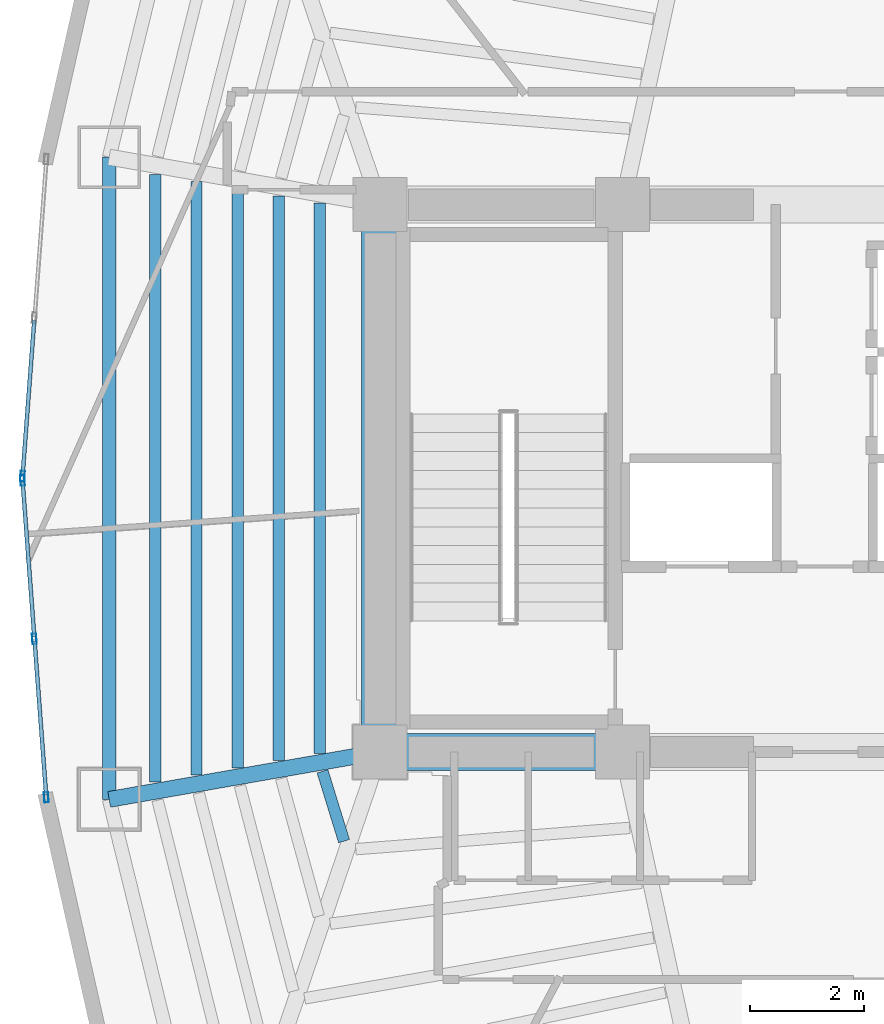
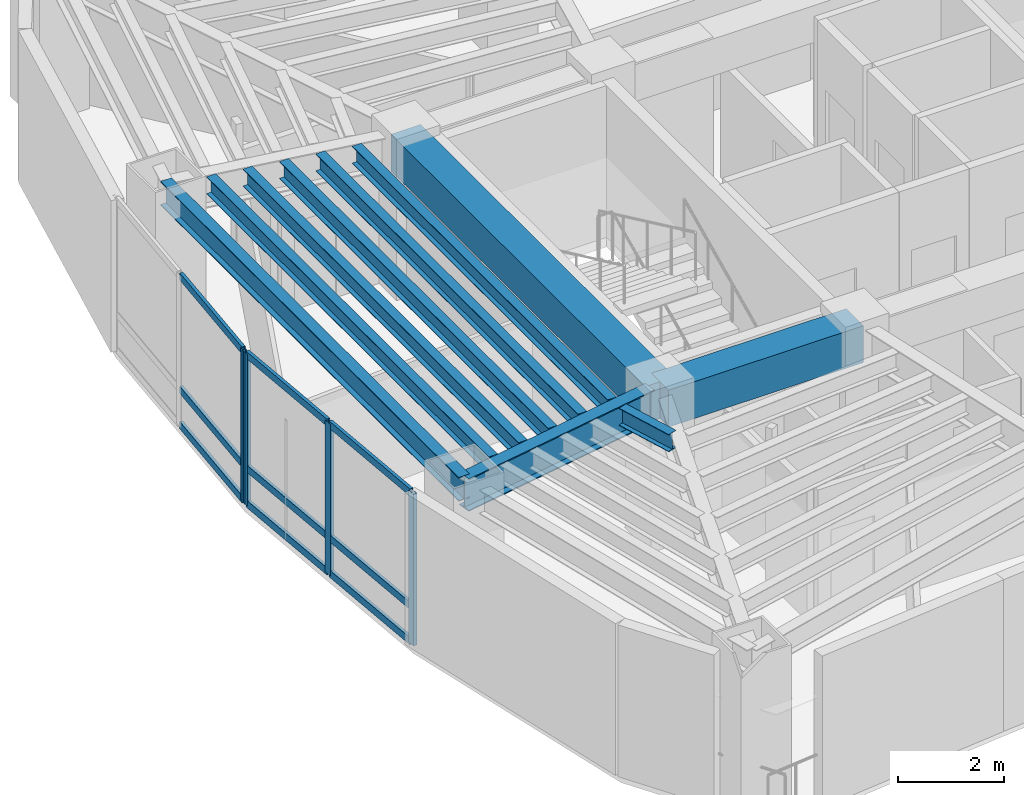
# One storey, part 3 of 18: 13 members, 10 beams, 2 elements without a shape of their own.
"""IFC4 building model written with IfcOpenShell, lengths in metres."""

from ifc_helpers import new_model, si_unit, direction, frame, origin, origin_2d, place, context, subcontext, project, spatial, rectangle, hollow_rectangle, i_section, extrude, material, layer, layer_set, material_profile, profile_set, type_object, element, aggregate, save


model = new_model("IFC4")

# Units and contexts
model_context = context("Model", 3, precision=1e-05, world=origin(), true_north=direction((0.0, 1.0)))
body_context = subcontext(model_context, "Body", "Model", "MODEL_VIEW")
ifc_project = project(units=[si_unit("LENGTHUNIT", "METRE"), si_unit("AREAUNIT", "SQUARE_METRE"), si_unit("VOLUMEUNIT", "CUBIC_METRE"), si_unit("PLANEANGLEUNIT", "RADIAN"), si_unit("MASSUNIT", "GRAM", prefix="KILO")], contexts=[model_context])

# Site, building, storey
site_placement = place(None, origin())
site = spatial("IfcSite", under=ifc_project, at=site_placement, CompositionType="ELEMENT")
building_placement = place(site_placement, origin())
building = spatial("IfcBuilding", under=site, at=building_placement, Name="Menara Vayukalpa", CompositionType="ELEMENT")
storey_placement = place(building_placement, frame((0.0, 0.0, 165.47998046875)))
storey = spatial("IfcBuildingStorey", under=building, at=storey_placement, Name="L41", CompositionType="ELEMENT", Elevation=165.47998046875)

# Beams
ifc_material_1 = material(Name="Concrete C60/75", Category="concrete")
ifc_material_profile_1 = material_profile(ifc_material_1, rectangle(XDim=0.64990234375, YDim=0.85009765625, at=origin_2d()), Name="RC 650x850")
ifc_profile_set_1 = profile_set([ifc_material_profile_1], Name="Concrete C60/75")
beam_type_1 = type_object("IfcBeamType", Name="BM-CB1", PredefinedType="BEAM", material=ifc_profile_set_1)
beam_1_placement = place(storey_placement, frame((17.800048828125, 17.199951171875, 3.074951171875), z_axis=(1.0, 0.0, 0.0), x_axis=(0.0, 1.0, 0.0)))
element("IfcBeam", 1, at=beam_1_placement, inside=storey, type_object=beam_type_1, Name="L41 Core Tie Beam CBR1", PredefinedType="BEAM", context=body_context, shape_type="SweptSolid", body=[
    extrude(rectangle(XDim=0.64990234375, YDim=0.85009765625, at=origin_2d()), origin(), (0.0, 0.0, 1.0), 4.25),
])
beam_2_placement = place(storey_placement, frame((17.800048828125, 17.199951171875, 3.074951171875), z_axis=(0.0, 1.0, 0.0), x_axis=(-1.0, 0.0, 0.0)))
element("IfcBeam", 2, at=beam_2_placement, inside=storey, type_object=beam_type_1, Name="L41 Core Tie Beam CBR7", PredefinedType="BEAM", context=body_context, shape_type="SweptSolid", body=[
    extrude(rectangle(XDim=0.64990234375, YDim=0.85009765625, at=origin_2d()), origin(), (0.0, 0.0, 1.0), 9.60009765625),
])
ifc_material_2 = material(Name="Steel S355", Category="steel")
ifc_material_profile_2 = material_profile(ifc_material_2, i_section(OverallWidth=0.280029296875, OverallDepth=0.75, WebThickness=0.013916015625, FlangeThickness=0.02490234375, at=origin_2d()), Name="WF 750x280x14x25")
ifc_profile_set_2 = profile_set([ifc_material_profile_2], Name="Steel S355")
beam_type_2 = type_object("IfcBeamType", Name="BM-PG4", PredefinedType="BEAM", material=ifc_profile_set_2)
beam_3_placement = place(storey_placement, frame((17.5537109375, 17.156982421875, 3.125), z_axis=(-0.985011651805, -0.172487813505, 0.0), x_axis=(0.172487813505, -0.985011651805, 0.0)))
element("IfcBeam", 3, at=beam_3_placement, inside=storey, type_object=beam_type_2, Name="L41 Primary Radial Girder RG06", PredefinedType="BEAM", context=body_context, shape_type="SweptSolid", body=[
    extrude(i_section(OverallWidth=0.280029296875, OverallDepth=0.75, WebThickness=0.013916015625, FlangeThickness=0.02490234375, at=origin_2d()), origin(), (0.0, 0.0, 1.0), 4.5732421875),
])
ifc_material_3 = material(Name="Steel S355", Category="steel")
ifc_material_profile_3 = material_profile(ifc_material_3, i_section(OverallWidth=0.199951171875, OverallDepth=0.39990234375, WebThickness=0.008056640625, FlangeThickness=0.012939453125, at=origin_2d()), Name="WF 400x200x8x13")
ifc_profile_set_3 = profile_set([ifc_material_profile_3], Name="Steel S355")
beam_type_3 = type_object("IfcBeamType", Name="BM-SJ2", PredefinedType="JOIST", material=ifc_profile_set_3)
beam_4_placement = place(storey_placement, frame((16.742919921875, 26.8251953125, 3.300048828125), z_axis=(0.0, -1.0, 0.0), x_axis=(1.0, 0.0, 0.0)))
element("IfcBeam", 4, at=beam_4_placement, inside=storey, type_object=beam_type_3, Name="L41 Secondary Floor Joist SJ05-1", PredefinedType="JOIST", context=body_context, shape_type="SweptSolid", body=[
    extrude(i_section(OverallWidth=0.199951171875, OverallDepth=0.39990234375, WebThickness=0.008056640625, FlangeThickness=0.012939453125, at=origin_2d()), origin(), (0.0, 0.0, 1.0), 9.650390625),
])
beam_5_placement = place(storey_placement, frame((16.022216796875, 26.951416015625, 3.300048828125), z_axis=(0.0, -1.0, 0.0), x_axis=(1.0, 0.0, 0.0)))
element("IfcBeam", 5, at=beam_5_placement, inside=storey, type_object=beam_type_3, Name="L41 Secondary Floor Joist SJ05-2", PredefinedType="JOIST", context=body_context, shape_type="SweptSolid", body=[
    extrude(i_section(OverallWidth=0.199951171875, OverallDepth=0.39990234375, WebThickness=0.008056640625, FlangeThickness=0.012939453125, at=origin_2d()), origin(), (0.0, 0.0, 1.0), 9.90283203125),
])
beam_6_placement = place(storey_placement, frame((15.301513671875, 27.077392578125, 3.300048828125), z_axis=(0.0, -1.0, 0.0), x_axis=(1.0, 0.0, 0.0)))
element("IfcBeam", 6, at=beam_6_placement, inside=storey, type_object=beam_type_3, Name="L41 Secondary Floor Joist SJ05-3", PredefinedType="JOIST", context=body_context, shape_type="SweptSolid", body=[
    extrude(i_section(OverallWidth=0.199951171875, OverallDepth=0.39990234375, WebThickness=0.008056640625, FlangeThickness=0.012939453125, at=origin_2d()), origin(), (0.0, 0.0, 1.0), 10.15478515625),
])
beam_7_placement = place(storey_placement, frame((14.580810546875, 27.20361328125, 3.300048828125), z_axis=(0.0, -1.0, 0.0), x_axis=(1.0, 0.0, 0.0)))
element("IfcBeam", 7, at=beam_7_placement, inside=storey, type_object=beam_type_3, Name="L41 Secondary Floor Joist SJ05-4", PredefinedType="JOIST", context=body_context, shape_type="SweptSolid", body=[
    extrude(i_section(OverallWidth=0.199951171875, OverallDepth=0.39990234375, WebThickness=0.008056640625, FlangeThickness=0.012939453125, at=origin_2d()), origin(), (0.0, 0.0, 1.0), 10.4072265625),
])
beam_8_placement = place(storey_placement, frame((13.85986328125, 27.329833984375, 3.300048828125), z_axis=(0.0, -1.0, 0.0), x_axis=(1.0, 0.0, 0.0)))
element("IfcBeam", 8, at=beam_8_placement, inside=storey, type_object=beam_type_3, Name="L41 Secondary Floor Joist SJ05-5", PredefinedType="JOIST", context=body_context, shape_type="SweptSolid", body=[
    extrude(i_section(OverallWidth=0.199951171875, OverallDepth=0.39990234375, WebThickness=0.008056640625, FlangeThickness=0.012939453125, at=origin_2d()), origin(), (0.0, 0.0, 1.0), 10.65966796875),
])
beam_9_placement = place(storey_placement, frame((16.7900390625, 16.862060546875, 3.300048828125), z_axis=(0.294914687622, -0.955523587896, 0.0), x_axis=(0.955523587896, 0.294914687622, 0.0)))
element("IfcBeam", 9, at=beam_9_placement, inside=storey, type_object=beam_type_3, Name="L41 Secondary Floor Joist SJ06-1", PredefinedType="JOIST", context=body_context, shape_type="SweptSolid", body=[
    extrude(i_section(OverallWidth=0.199951171875, OverallDepth=0.39990234375, WebThickness=0.008056640625, FlangeThickness=0.012939453125, at=origin_2d()), origin(), (0.0, 0.0, 1.0), 1.283203125),
])
ifc_material_4 = material(Name="Steel S355", Category="steel")
ifc_material_profile_4 = material_profile(ifc_material_4, i_section(OverallWidth=0.239990234375, OverallDepth=0.550048828125, WebThickness=0.010986328125, FlangeThickness=0.01904296875, at=origin_2d()), Name="WF 550x240x11x19")
ifc_profile_set_4 = profile_set([ifc_material_profile_4], Name="Steel S355")
beam_type_4 = type_object("IfcBeamType", Name="BM-SP2", PredefinedType="SPANDREL", material=ifc_profile_set_4)
beam_10_placement = place(storey_placement, frame((13.049072265625, 27.6318359375, 3.22509765625), z_axis=(0.0, -1.0, 0.0), x_axis=(1.0, 0.0, 0.0)))
element("IfcBeam", 10, at=beam_10_placement, inside=storey, type_object=beam_type_4, Name="L41 Perimeter Spandrel Beam SP05", PredefinedType="SPANDREL", context=body_context, shape_type="SweptSolid", body=[
    extrude(i_section(OverallWidth=0.239990234375, OverallDepth=0.550048828125, WebThickness=0.010986328125, FlangeThickness=0.01904296875, at=origin_2d()), origin(), (0.0, 0.0, 1.0), 11.263671875),
])

# Curtain wall, member
ifc_material_5 = material(Name="Anodised Terracotta Aluminium Alloy 6063-T6", Category="masonry")
ifc_layer = layer(ifc_material_5, 0.179931640625)
ifc_layer_set = layer_set([ifc_layer], Name="Anodised Terracotta Aluminium Alloy 6063-T6")
curtain_wall_type = type_object("IfcCurtainWallType", Name="CW-CW4", PredefinedType="USERDEFINED", material=ifc_layer_set)
curtain_wall_1_placement = place(storey_placement, origin())
curtain_wall_1 = element("IfcCurtainWall", 11, at=curtain_wall_1_placement, inside=storey, type_object=curtain_wall_type, Name="L41 Sky Bar Cantilever Glazed Curtain Wall CW4 10", ObjectType="UNITISED", PredefinedType="USERDEFINED")
ifc_material_6 = material(Name="Anodised Terracotta Aluminium Alloy 6063-T6", Category="masonry")
ifc_material_profile_5 = material_profile(ifc_material_6, hollow_rectangle(XDim=0.074951171875, YDim=0.179931640625, WallThickness=0.00390625, at=origin_2d()), Name="ALU 75x180x4")
ifc_profile_set_5 = profile_set([ifc_material_profile_5], Name="Anodised Terracotta Aluminium Alloy 6063-T6")
member_type_1 = type_object("IfcMemberType", Name="CWM-CW4", PredefinedType="MULLION", material=ifc_profile_set_5)
member_1_placement = place(storey_placement, frame((11.529541015625, 22.037353515625, 0.0), z_axis=(0.0, 0.0, 1.0), x_axis=(0.997199111801, -0.074792589364, 0.0)))
member_1 = element("IfcMember", 12, at=member_1_placement, type_object=member_type_1, Name="CW4 mullion 3", PredefinedType="MULLION", context=body_context, shape_type="SweptSolid", body=[
    extrude(hollow_rectangle(XDim=0.074951171875, YDim=0.179931640625, WallThickness=0.00390625, at=origin_2d()), origin(), (0.0, 0.0, 1.0), 3.5),
])

# Curtain wall, members
curtain_wall_2_placement = place(storey_placement, origin())
curtain_wall_2 = element("IfcCurtainWall", 13, at=curtain_wall_2_placement, inside=storey, type_object=curtain_wall_type, Name="L41 Sky Bar Cantilever Glazed Curtain Wall CW4 11", ObjectType="UNITISED", PredefinedType="USERDEFINED")
member_2_placement = place(storey_placement, frame((11.529541015625, 21.962646484375, 0.0), z_axis=(0.0, 0.0, 1.0), x_axis=(0.997199111801, 0.074792589364, 0.0)))
member_2 = element("IfcMember", 14, at=member_2_placement, type_object=member_type_1, Name="CW4 mullion 1", PredefinedType="MULLION", context=body_context, shape_type="SweptSolid", body=[
    extrude(hollow_rectangle(XDim=0.074951171875, YDim=0.179931640625, WallThickness=0.00390625, at=origin_2d()), origin(), (0.0, 0.0, 1.0), 3.5),
])
member_3_placement = place(storey_placement, frame((11.73779296875, 19.18408203125, 0.0), z_axis=(0.0, 0.0, 1.0), x_axis=(0.997199111801, 0.074792589364, 0.0)))
member_3 = element("IfcMember", 15, at=member_3_placement, type_object=member_type_1, Name="CW4 mullion 2", PredefinedType="MULLION", context=body_context, shape_type="SweptSolid", body=[
    extrude(hollow_rectangle(XDim=0.074951171875, YDim=0.179931640625, WallThickness=0.00390625, at=origin_2d()), origin(), (0.0, 0.0, 1.0), 3.5),
])
member_4_placement = place(storey_placement, frame((11.9462890625, 16.405517578125, 0.0), z_axis=(0.0, 0.0, 1.0), x_axis=(0.997199111801, 0.074792589364, 0.0)))
member_4 = element("IfcMember", 16, at=member_4_placement, type_object=member_type_1, Name="CW4 mullion 3", PredefinedType="MULLION", context=body_context, shape_type="SweptSolid", body=[
    extrude(hollow_rectangle(XDim=0.074951171875, YDim=0.179931640625, WallThickness=0.00390625, at=origin_2d()), origin(), (0.0, 0.0, 1.0), 3.5),
])

# Member
ifc_material_7 = material(Name="Anodised Terracotta Aluminium Alloy 6063-T6", Category="masonry")
ifc_material_profile_6 = material_profile(ifc_material_7, hollow_rectangle(XDim=0.070068359375, YDim=0.1650390625, WallThickness=0.00390625, at=origin_2d()), Name="ALU 70x165x4")
ifc_profile_set_6 = profile_set([ifc_material_profile_6], Name="Anodised Terracotta Aluminium Alloy 6063-T6")
member_type_2 = type_object("IfcMemberType", Name="CWT-CW4", PredefinedType="USERDEFINED", material=ifc_profile_set_6)
member_5_placement = place(storey_placement, frame((11.735107421875, 24.778564453125, 0.034912109375), z_axis=(-0.074823524461, -0.997196791104, 0.0), x_axis=(0.997196791104, -0.074823524461, 0.0)))
member_5 = element("IfcMember", 17, at=member_5_placement, type_object=member_type_2, Name="CW4 transom 2.1", ObjectType="TRANSOM", PredefinedType="USERDEFINED", context=body_context, shape_type="SweptSolid", body=[
    extrude(hollow_rectangle(XDim=0.070068359375, YDim=0.1650390625, WallThickness=0.00390625, at=origin_2d()), origin(), (0.0, 0.0, 1.0), 2.71142578125),
])

member_6_placement = place(storey_placement, frame((11.735107421875, 24.778564453125, 0.85009765625), z_axis=(-0.074823524461, -0.997196791104, 0.0), x_axis=(0.997196791104, -0.074823524461, 0.0)))
member_6 = element("IfcMember", 18, at=member_6_placement, type_object=member_type_2, Name="CW4 transom 2.2", ObjectType="TRANSOM", PredefinedType="USERDEFINED", context=body_context, shape_type="SweptSolid", body=[
    extrude(hollow_rectangle(XDim=0.070068359375, YDim=0.1650390625, WallThickness=0.00390625, at=origin_2d()), origin(), (0.0, 0.0, 1.0), 2.71142578125),
])

member_7_placement = place(storey_placement, frame((11.735107421875, 24.778564453125, 3.465087890625), z_axis=(-0.074823524461, -0.997196791104, 0.0), x_axis=(0.997196791104, -0.074823524461, 0.0)))
member_7 = element("IfcMember", 19, at=member_7_placement, type_object=member_type_2, Name="CW4 transom 2.3", ObjectType="TRANSOM", PredefinedType="USERDEFINED", context=body_context, shape_type="SweptSolid", body=[
    extrude(hollow_rectangle(XDim=0.070068359375, YDim=0.1650390625, WallThickness=0.00390625, at=origin_2d()), origin(), (0.0, 0.0, 1.0), 2.71142578125),
])

aggregate(curtain_wall_1, [member_1, member_5, member_6, member_7])

member_8_placement = place(storey_placement, frame((11.5322265625, 21.92529296875, 0.034912109375), z_axis=(0.074823524461, -0.997196791104, 0.0), x_axis=(0.997196791104, 0.074823524461, 0.0)))
member_8 = element("IfcMember", 20, at=member_8_placement, type_object=member_type_2, Name="CW4 transom 1.1", ObjectType="TRANSOM", PredefinedType="USERDEFINED", context=body_context, shape_type="SweptSolid", body=[
    extrude(hollow_rectangle(XDim=0.070068359375, YDim=0.1650390625, WallThickness=0.00390625, at=origin_2d()), origin(), (0.0, 0.0, 1.0), 2.71142578125),
])

member_9_placement = place(storey_placement, frame((11.5322265625, 21.92529296875, 0.85009765625), z_axis=(0.074823524461, -0.997196791104, 0.0), x_axis=(0.997196791104, 0.074823524461, 0.0)))
member_9 = element("IfcMember", 21, at=member_9_placement, type_object=member_type_2, Name="CW4 transom 1.2", ObjectType="TRANSOM", PredefinedType="USERDEFINED", context=body_context, shape_type="SweptSolid", body=[
    extrude(hollow_rectangle(XDim=0.070068359375, YDim=0.1650390625, WallThickness=0.00390625, at=origin_2d()), origin(), (0.0, 0.0, 1.0), 2.71142578125),
])

member_10_placement = place(storey_placement, frame((11.5322265625, 21.92529296875, 3.465087890625), z_axis=(0.074823524461, -0.997196791104, 0.0), x_axis=(0.997196791104, 0.074823524461, 0.0)))
member_10 = element("IfcMember", 22, at=member_10_placement, type_object=member_type_2, Name="CW4 transom 1.3", ObjectType="TRANSOM", PredefinedType="USERDEFINED", context=body_context, shape_type="SweptSolid", body=[
    extrude(hollow_rectangle(XDim=0.070068359375, YDim=0.1650390625, WallThickness=0.00390625, at=origin_2d()), origin(), (0.0, 0.0, 1.0), 2.71142578125),
])

member_11_placement = place(storey_placement, frame((11.74072265625, 19.146728515625, 0.034912109375), z_axis=(0.074823524461, -0.997196791104, 0.0), x_axis=(0.997196791104, 0.074823524461, 0.0)))
member_11 = element("IfcMember", 23, at=member_11_placement, type_object=member_type_2, Name="CW4 transom 2.1", ObjectType="TRANSOM", PredefinedType="USERDEFINED", context=body_context, shape_type="SweptSolid", body=[
    extrude(hollow_rectangle(XDim=0.070068359375, YDim=0.1650390625, WallThickness=0.00390625, at=origin_2d()), origin(), (0.0, 0.0, 1.0), 2.71142578125),
])

member_12_placement = place(storey_placement, frame((11.74072265625, 19.146728515625, 0.85009765625), z_axis=(0.074823524461, -0.997196791104, 0.0), x_axis=(0.997196791104, 0.074823524461, 0.0)))
member_12 = element("IfcMember", 24, at=member_12_placement, type_object=member_type_2, Name="CW4 transom 2.2", ObjectType="TRANSOM", PredefinedType="USERDEFINED", context=body_context, shape_type="SweptSolid", body=[
    extrude(hollow_rectangle(XDim=0.070068359375, YDim=0.1650390625, WallThickness=0.00390625, at=origin_2d()), origin(), (0.0, 0.0, 1.0), 2.71142578125),
])

member_13_placement = place(storey_placement, frame((11.74072265625, 19.146728515625, 3.465087890625), z_axis=(0.074823524461, -0.997196791104, 0.0), x_axis=(0.997196791104, 0.074823524461, 0.0)))
member_13 = element("IfcMember", 25, at=member_13_placement, type_object=member_type_2, Name="CW4 transom 2.3", ObjectType="TRANSOM", PredefinedType="USERDEFINED", context=body_context, shape_type="SweptSolid", body=[
    extrude(hollow_rectangle(XDim=0.070068359375, YDim=0.1650390625, WallThickness=0.00390625, at=origin_2d()), origin(), (0.0, 0.0, 1.0), 2.71142578125),
])

aggregate(curtain_wall_2, [member_2, member_3, member_4, member_8, member_9, member_10, member_11, member_12, member_13])

save(model, "model.ifc")
